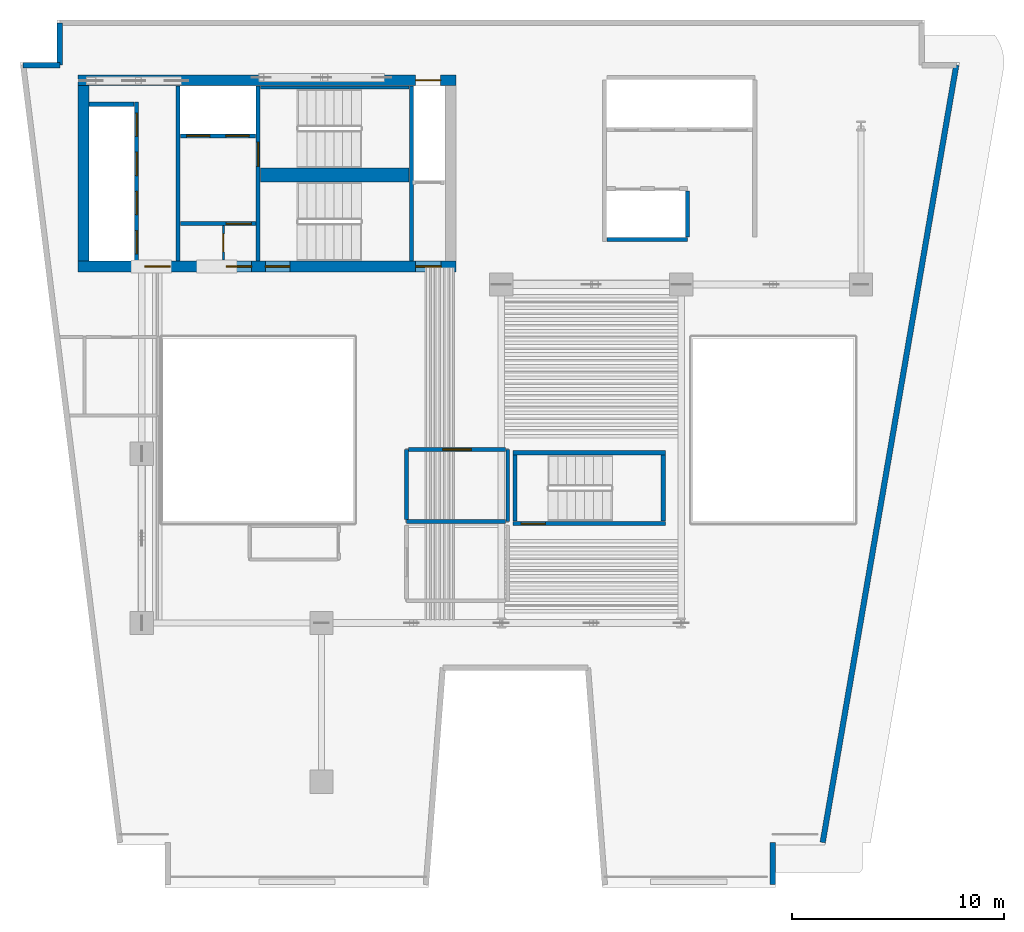
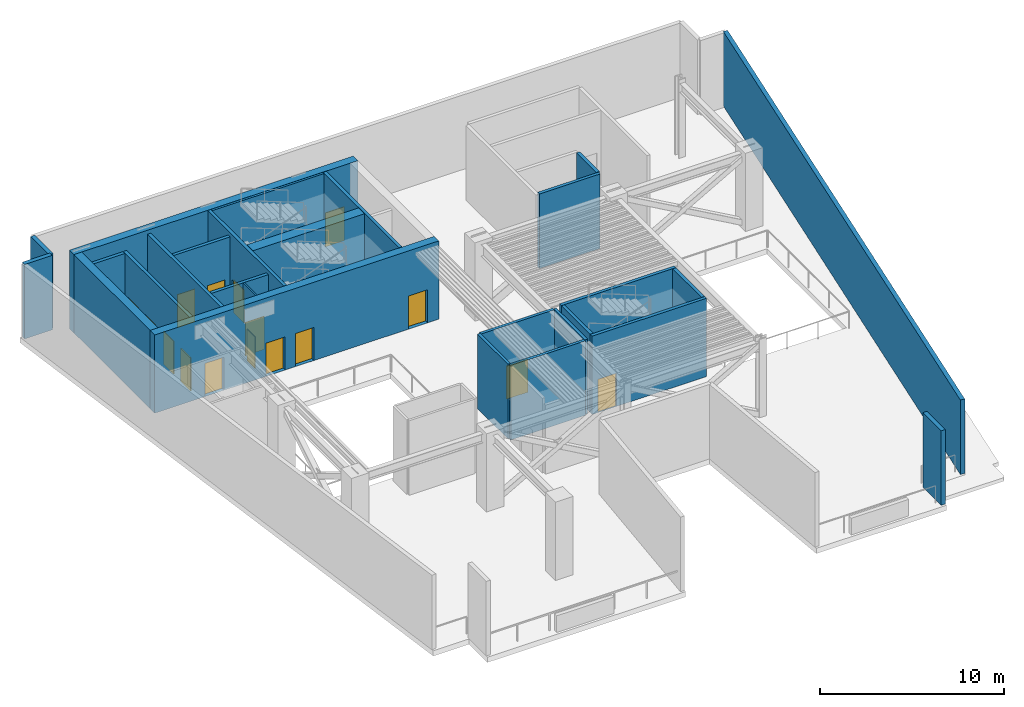
# One storey, part 3 of 8: 27 walls, 16 doors, 16 openings.
"""IFC4 building model written with IfcOpenShell, lengths in metres."""

from ifc_helpers import new_model, si_unit, direction, frame, frame_2d, origin, place, context, subcontext, project, spatial, rectangle, extrude, material, layer, layer_set, type_object, element, fill, save


model = new_model("IFC4")

# Units and contexts
model_context = context("Model", 3, precision=1e-05, world=origin(), true_north=direction((0.0, 1.0)))
body_context = subcontext(model_context, "Body", "Model", "MODEL_VIEW")
ifc_project = project(units=[si_unit("LENGTHUNIT", "METRE"), si_unit("AREAUNIT", "SQUARE_METRE"), si_unit("VOLUMEUNIT", "CUBIC_METRE"), si_unit("PLANEANGLEUNIT", "RADIAN"), si_unit("MASSUNIT", "GRAM", prefix="KILO")], contexts=[model_context])

# Site, building, storey
site_placement = place(None, origin())
site = spatial("IfcSite", under=ifc_project, at=site_placement, CompositionType="ELEMENT")
building_placement = place(site_placement, origin())
building = spatial("IfcBuilding", under=site, at=building_placement, Name="Caeloran Harvest Quay", CompositionType="ELEMENT")
storey_placement = place(building_placement, frame((0.0, 0.0, 178.550048828125)))
storey = spatial("IfcBuildingStorey", under=building, at=storey_placement, Name="L42", CompositionType="ELEMENT", Elevation=178.550048828125)

# Walls
ifc_material_1 = material(Name="Precast concrete C50/60", Category="concrete")
ifc_layer_1 = layer(ifc_material_1, 0.260009765625, Name="Precast concrete C50/60")
ifc_layer_set_1 = layer_set([ifc_layer_1], Name="Precast concrete C50/60")
wall_type_1 = type_object("IfcWallType", Name="ENV-WALL-EW-260", PredefinedType="STANDARD", material=ifc_layer_set_1)
wall_1_placement = place(storey_placement, frame((2.89599609375, 41.3701171875, 0.0), z_axis=(0.0, 0.0, 1.0), x_axis=(1.0, 0.0, 0.0)))
element("IfcWall", 1, at=wall_1_placement, inside=storey, type_object=wall_type_1, Name="L42 Exterior Precast Concrete Facade Wall 4", PredefinedType="STANDARD", context=body_context, shape_type="SweptSolid", body=[
    extrude(rectangle(XDim=1.73388671875, YDim=0.260009765625, at=frame_2d((0.866943359375, 0.0))), origin(), (0.0, 0.0, 1.0), 4.949951171875),
])
wall_2_placement = place(storey_placement, frame((4.6298828125, 41.3701171875, 0.0), z_axis=(0.0, 0.0, 1.0), x_axis=(0.0, 1.0, 0.0)))
element("IfcWall", 2, at=wall_2_placement, inside=storey, type_object=wall_type_1, Name="L42 Exterior Precast Concrete Facade Wall 5", PredefinedType="STANDARD", context=body_context, shape_type="SweptSolid", body=[
    extrude(rectangle(XDim=2.0, YDim=0.260009765625, at=frame_2d((1.0, 0.0))), origin(), (0.0, 0.0, 1.0), 4.949951171875),
])
wall_3_placement = place(storey_placement, frame((47.001953125, 41.3701171875, 0.0), z_axis=(0.0, 0.0, 1.0), x_axis=(-0.169390420461, -0.985549027424, 0.0)))
element("IfcWall", 3, at=wall_3_placement, inside=storey, type_object=wall_type_1, Name="L42 Exterior Precast Concrete Facade Wall 9", PredefinedType="STANDARD", context=body_context, shape_type="SweptSolid", body=[
    extrude(rectangle(XDim=37.279052734375, YDim=0.260009765625, at=frame_2d((18.6396484375, 0.0))), origin(), (0.0, 0.0, 1.0), 4.949951171875),
])
wall_4_placement = place(storey_placement, frame((38.322998046875, 4.6298828125, 0.0), z_axis=(0.0, 0.0, 1.0), x_axis=(0.0, -1.0, 0.0)))
element("IfcWall", 4, at=wall_4_placement, inside=storey, type_object=wall_type_1, Name="L42 Exterior Precast Concrete Facade Wall 11", PredefinedType="STANDARD", context=body_context, shape_type="SweptSolid", body=[
    extrude(rectangle(XDim=2.0, YDim=0.260009765625, at=frame_2d((1.0, 0.0))), origin(), (0.0, 0.0, 1.0), 4.949951171875),
])

# Wall, opening, door
ifc_material_2 = material(Name="Fire-Resisting Gypsum Core Riser Partition", Category="gypsum")
ifc_layer_2 = layer(ifc_material_2, 0.10009765625, Name="Fire-Resisting Gypsum Core Riser Partition")
ifc_layer_set_2 = layer_set([ifc_layer_2], Name="Fire-Resisting Gypsum Core Riser Partition")
wall_type_2 = type_object("IfcWallType", Name="INT-WALL-PW-100", PredefinedType="PARTITIONING", material=ifc_layer_set_2)
wall_5_placement = place(storey_placement, frame((12.360107421875, 32.159912109375, 0.0), z_axis=(0.0, 0.0, 1.0), x_axis=(0.0, 1.0, 0.0)))
wall_5 = element("IfcWall", 5, at=wall_5_placement, inside=storey, type_object=wall_type_2, Name="L42 Core Store Partition Wall", PredefinedType="PARTITIONING", context=body_context, shape_type="SweptSolid", body=[
    extrude(rectangle(XDim=1.6201171875, YDim=0.10009765625, at=frame_2d((0.81005859375, 0.0))), origin(), (0.0, 0.0, 1.0), 4.949951171875),
])
opening_1_placement = place(wall_5_placement, frame((0.3798828125, 0.0, 0.0)))
opening_1 = element("IfcOpeningElement", 6, at=opening_1_placement, cuts=wall_5, Name="Opening SV-01", PredefinedType="OPENING", context=body_context, shape_type="SweptSolid", body=[
    extrude(rectangle(XDim=0.85009765625, YDim=2.10009765625, at=frame_2d((0.425048828125, 1.050048828125))), frame((0.0, 0.06005859375, 0.0), z_axis=(0.0, -1.0, 0.0), x_axis=(1.0, 0.0, 0.0)), (0.0, 0.0, 1.0), 0.1201171875),
])
ifc_material_3 = material(Name="Galvanized Painted Steel", Category="steel")
door_type_1 = type_object("IfcDoorType", Name="INTDOOR-SV-01", OperationType="NOTDEFINED", PredefinedType="DOOR", material=ifc_material_3)
door_1_placement = place(opening_1_placement, origin())
door_1 = element("IfcDoor", 7, at=door_1_placement, inside=storey, type_object=door_type_1, Name="L42 Core Service Room Access Door", OperationType="SINGLE_SWING_RIGHT", OverallHeight=2.10009765625, OverallWidth=0.85009765625, PredefinedType="DOOR", context=body_context, shape_type="SweptSolid", body=[
    extrude(rectangle(XDim=0.85009765625, YDim=2.10009765625, at=frame_2d((0.425048828125, 1.050048828125))), frame((0.0, 0.02490234375, 0.0), z_axis=(0.0, -1.0, 0.0), x_axis=(1.0, 0.0, 0.0)), (0.0, 0.0, 1.0), 0.050048828125),
])
fill(opening_1, door_1)

# Walls
ifc_material_4 = material(Name="Autoclaved Aerated Concrete Blockwork", Category="masonry")
ifc_layer_3 = layer(ifc_material_4, 0.179931640625, Name="Autoclaved Aerated Concrete Blockwork")
ifc_layer_set_3 = layer_set([ifc_layer_3], Name="Autoclaved Aerated Concrete Blockwork")
wall_type_3 = type_object("IfcWallType", Name="INT-WALL-PW-180", PredefinedType="PARTITIONING", material=ifc_layer_set_3)
wall_6_placement = place(storey_placement, frame((25.800048828125, 23.199951171875, 0.0), z_axis=(0.0, 0.0, 1.0), x_axis=(0.0, -1.0, 0.0)))
element("IfcWall", 8, at=wall_6_placement, inside=storey, type_object=wall_type_3, Name="L42 Dedicated Outdoor Air Handling and Dehumidification Plant Room Partition Wall", PredefinedType="PARTITIONING", context=body_context, shape_type="SweptSolid", body=[
    extrude(rectangle(XDim=3.39990234375, YDim=0.179931640625, at=frame_2d((1.699951171875, 0.0))), origin(), (0.0, 0.0, 1.0), 4.949951171875),
])
wall_7_placement = place(storey_placement, frame((25.705078125, 19.800048828125, 0.0), z_axis=(0.0, 0.0, 1.0), x_axis=(-1.0, 0.0, 0.0)))
element("IfcWall", 9, at=wall_7_placement, inside=storey, type_object=wall_type_3, Name="L42 Dedicated Outdoor Air Handling and Dehumidification Plant Room Partition Wall", PredefinedType="PARTITIONING", context=body_context, shape_type="SweptSolid", body=[
    extrude(rectangle(XDim=4.68505859375, YDim=0.179931640625, at=frame_2d((2.342529296875, 0.0))), origin(), (0.0, 0.0, 1.0), 4.949951171875),
])
wall_8_placement = place(storey_placement, frame((21.02001953125, 19.89501953125, 0.0), z_axis=(0.0, 0.0, 1.0), x_axis=(0.0, 1.0, 0.0)))
element("IfcWall", 10, at=wall_8_placement, inside=storey, type_object=wall_type_3, Name="L42 Dedicated Outdoor Air Handling and Dehumidification Plant Room Partition Wall", PredefinedType="PARTITIONING", context=body_context, shape_type="SweptSolid", body=[
    extrude(rectangle(XDim=3.304931640625, YDim=0.179931640625, at=frame_2d((1.65234375, 0.0))), origin(), (0.0, 0.0, 1.0), 4.949951171875),
])

# Wall, opening, door
wall_9_placement = place(storey_placement, frame((21.114990234375, 23.199951171875, 0.0), z_axis=(0.0, 0.0, 1.0), x_axis=(1.0, 0.0, 0.0)))
wall_9 = element("IfcWall", 11, at=wall_9_placement, inside=storey, type_object=wall_type_3, Name="L42 Dedicated Outdoor Air Handling and Dehumidification Plant Room Partition Wall", PredefinedType="PARTITIONING", context=body_context, shape_type="SweptSolid", body=[
    extrude(rectangle(XDim=4.590087890625, YDim=0.179931640625, at=frame_2d((2.294921875, 0.0))), origin(), (0.0, 0.0, 1.0), 4.949951171875),
])
opening_2_placement = place(wall_9_placement, frame((1.6201171875, 0.0, 0.0)))
opening_2 = element("IfcOpeningElement", 12, at=opening_2_placement, cuts=wall_9, Name="Opening ID-02", PredefinedType="OPENING", context=body_context, shape_type="SweptSolid", body=[
    extrude(rectangle(XDim=1.35009765625, YDim=2.199951171875, at=frame_2d((0.675048828125, 1.10009765625))), frame((0.0, 0.10009765625, 0.0), z_axis=(0.0, -1.0, 0.0), x_axis=(1.0, 0.0, 0.0)), (0.0, 0.0, 1.0), 0.199951171875),
])
ifc_material_5 = material(Name="Powder-Coated Steel Acoustic Leaf", Category="steel")
door_type_2 = type_object("IfcDoorType", Name="INTDOOR-ID-02", OperationType="NOTDEFINED", PredefinedType="DOOR", material=ifc_material_5)
door_2_placement = place(opening_2_placement, origin())
door_2 = element("IfcDoor", 13, at=door_2_placement, inside=storey, type_object=door_type_2, Name="L42 Dedicated Outdoor Air Handling and Dehumidification Plant Room Access Door", OperationType="SINGLE_SWING_LEFT", OverallHeight=2.199951171875, OverallWidth=1.35009765625, PredefinedType="DOOR", context=body_context, shape_type="SweptSolid", body=[
    extrude(rectangle(XDim=1.35009765625, YDim=2.199951171875, at=frame_2d((0.675048828125, 1.10009765625))), frame((0.0, 0.02490234375, 0.0), z_axis=(0.0, -1.0, 0.0), x_axis=(1.0, 0.0, 0.0)), (0.0, 0.0, 1.0), 0.050048828125),
])
fill(opening_2, door_2)

# Wall, openings, doors
ifc_material_6 = material(Name="Concrete C50/60", Category="concrete")
ifc_layer_4 = layer(ifc_material_6, 0.199951171875, Name="Concrete C50/60")
ifc_layer_set_4 = layer_set([ifc_layer_4], Name="Concrete C50/60")
wall_type_4 = type_object("IfcWallType", Name="INT-WALL-SW-200", PredefinedType="PARTITIONING", material=ifc_layer_set_4)
wall_10_placement = place(storey_placement, frame((8.260009765625, 32.1201171875, 0.0), z_axis=(0.0, 0.0, 1.0), x_axis=(0.0, 1.0, 0.0)))
wall_10 = element("IfcWall", 14, at=wall_10_placement, inside=storey, type_object=wall_type_4, Name="L42 Bank 3 Lift Shaft Wall", PredefinedType="PARTITIONING", context=body_context, shape_type="SweptSolid", body=[
    extrude(rectangle(XDim=7.5, YDim=0.199951171875, at=frame_2d((3.75, 0.0))), origin(), (0.0, 0.0, 1.0), 4.949951171875),
])
opening_3_placement = place(wall_10_placement, frame((0.330078125, 0.0, 0.0)))
opening_3 = element("IfcOpeningElement", 15, at=opening_3_placement, cuts=wall_10, Name="Opening LD-01", PredefinedType="OPENING", context=body_context, shape_type="SweptSolid", body=[
    extrude(rectangle(XDim=1.10009765625, YDim=2.199951171875, at=frame_2d((0.550048828125, 1.10009765625))), frame((0.0, 0.10986328125, 0.0), z_axis=(0.0, -1.0, 0.0), x_axis=(1.0, 0.0, 0.0)), (0.0, 0.0, 1.0), 0.219970703125),
])
opening_4_placement = place(wall_10_placement, frame((2.179931640625, 0.0, 0.0)))
opening_4 = element("IfcOpeningElement", 16, at=opening_4_placement, cuts=wall_10, Name="Opening LD-01", PredefinedType="OPENING", context=body_context, shape_type="SweptSolid", body=[
    extrude(rectangle(XDim=1.10009765625, YDim=2.199951171875, at=frame_2d((0.550048828125, 1.10009765625))), frame((0.0, 0.10986328125, 0.0), z_axis=(0.0, -1.0, 0.0), x_axis=(1.0, 0.0, 0.0)), (0.0, 0.0, 1.0), 0.219970703125),
])
opening_5_placement = place(wall_10_placement, frame((4.030029296875, 0.0, 0.0)))
opening_5 = element("IfcOpeningElement", 17, at=opening_5_placement, cuts=wall_10, Name="Opening LD-01", PredefinedType="OPENING", context=body_context, shape_type="SweptSolid", body=[
    extrude(rectangle(XDim=1.10009765625, YDim=2.199951171875, at=frame_2d((0.550048828125, 1.10009765625))), frame((0.0, 0.10986328125, 0.0), z_axis=(0.0, -1.0, 0.0), x_axis=(1.0, 0.0, 0.0)), (0.0, 0.0, 1.0), 0.219970703125),
])
opening_6_placement = place(wall_10_placement, frame((5.8798828125, 0.0, 0.0)))
opening_6 = element("IfcOpeningElement", 18, at=opening_6_placement, cuts=wall_10, Name="Opening LD-01", PredefinedType="OPENING", context=body_context, shape_type="SweptSolid", body=[
    extrude(rectangle(XDim=1.10009765625, YDim=2.199951171875, at=frame_2d((0.550048828125, 1.10009765625))), frame((0.0, 0.10986328125, 0.0), z_axis=(0.0, -1.0, 0.0), x_axis=(1.0, 0.0, 0.0)), (0.0, 0.0, 1.0), 0.219970703125),
])
ifc_material_7 = material(Name="Stainless Steel Grade 316", Category="steel")
door_type_3 = type_object("IfcDoorType", Name="INTDOOR-LD-01", OperationType="NOTDEFINED", PredefinedType="DOOR", material=ifc_material_7)
door_3_placement = place(opening_3_placement, origin())
door_3 = element("IfcDoor", 19, at=door_3_placement, inside=storey, type_object=door_type_3, Name="Lift P3-1 Sliding Landing Door (L42)", OperationType="DOUBLE_DOOR_SLIDING", OverallHeight=2.199951171875, OverallWidth=1.10009765625, PredefinedType="DOOR", context=body_context, shape_type="SweptSolid", body=[
    extrude(rectangle(XDim=1.10009765625, YDim=2.199951171875, at=frame_2d((0.550048828125, 1.10009765625))), frame((0.0, 0.02490234375, 0.0), z_axis=(0.0, -1.0, 0.0), x_axis=(1.0, 0.0, 0.0)), (0.0, 0.0, 1.0), 0.050048828125),
])
fill(opening_3, door_3)
door_4_placement = place(opening_4_placement, origin())
door_4 = element("IfcDoor", 20, at=door_4_placement, inside=storey, type_object=door_type_3, Name="Lift P3-2 Sliding Landing Door (L42)", OperationType="DOUBLE_DOOR_SLIDING", OverallHeight=2.199951171875, OverallWidth=1.10009765625, PredefinedType="DOOR", context=body_context, shape_type="SweptSolid", body=[
    extrude(rectangle(XDim=1.10009765625, YDim=2.199951171875, at=frame_2d((0.550048828125, 1.10009765625))), frame((0.0, 0.02490234375, 0.0), z_axis=(0.0, -1.0, 0.0), x_axis=(1.0, 0.0, 0.0)), (0.0, 0.0, 1.0), 0.050048828125),
])
fill(opening_4, door_4)
door_5_placement = place(opening_5_placement, origin())
door_5 = element("IfcDoor", 21, at=door_5_placement, inside=storey, type_object=door_type_3, Name="Lift P3-3 Sliding Landing Door (L42)", OperationType="DOUBLE_DOOR_SLIDING", OverallHeight=2.199951171875, OverallWidth=1.10009765625, PredefinedType="DOOR", context=body_context, shape_type="SweptSolid", body=[
    extrude(rectangle(XDim=1.10009765625, YDim=2.199951171875, at=frame_2d((0.550048828125, 1.10009765625))), frame((0.0, 0.02490234375, 0.0), z_axis=(0.0, -1.0, 0.0), x_axis=(1.0, 0.0, 0.0)), (0.0, 0.0, 1.0), 0.050048828125),
])
fill(opening_5, door_5)
door_6_placement = place(opening_6_placement, origin())
door_6 = element("IfcDoor", 22, at=door_6_placement, inside=storey, type_object=door_type_3, Name="Lift P3-4 Sliding Landing Door (L42)", OperationType="DOUBLE_DOOR_SLIDING", OverallHeight=2.199951171875, OverallWidth=1.10009765625, PredefinedType="DOOR", context=body_context, shape_type="SweptSolid", body=[
    extrude(rectangle(XDim=1.10009765625, YDim=2.199951171875, at=frame_2d((0.550048828125, 1.10009765625))), frame((0.0, 0.02490234375, 0.0), z_axis=(0.0, -1.0, 0.0), x_axis=(1.0, 0.0, 0.0)), (0.0, 0.0, 1.0), 0.050048828125),
])
fill(opening_6, door_6)

# Walls
wall_11_placement = place(storey_placement, frame((6.02001953125, 39.52001953125, 0.0), z_axis=(0.0, 0.0, 1.0), x_axis=(1.0, 0.0, 0.0)))
element("IfcWall", 23, at=wall_11_placement, inside=storey, type_object=wall_type_4, Name="L42 Bank 3 Lift Shaft North End Wall", PredefinedType="PARTITIONING", context=body_context, shape_type="SweptSolid", body=[
    extrude(rectangle(XDim=2.119873046875, YDim=0.199951171875, at=frame_2d((1.06005859375, 0.0))), origin(), (0.0, 0.0, 1.0), 4.949951171875),
])
wall_12_placement = place(storey_placement, frame((10.219970703125, 32.1201171875, 0.0), z_axis=(0.0, 0.0, 1.0), x_axis=(0.0, 1.0, 0.0)))
element("IfcWall", 24, at=wall_12_placement, inside=storey, type_object=wall_type_4, Name="L42 Core Lobby Compartment Wall", PredefinedType="PARTITIONING", context=body_context, shape_type="SweptSolid", body=[
    extrude(rectangle(XDim=8.259765625, YDim=0.199951171875, at=frame_2d((4.1298828125, 0.0))), origin(), (0.0, 0.0, 1.0), 4.949951171875),
])

# Wall, openings, doors
wall_13_placement = place(storey_placement, frame((10.340087890625, 38.02001953125, 0.0), z_axis=(0.0, 0.0, 1.0), x_axis=(1.0, 0.0, 0.0)))
wall_13 = element("IfcWall", 25, at=wall_13_placement, inside=storey, type_object=wall_type_4, Name="L42 Firefighting Lift Shaft Wall", PredefinedType="PARTITIONING", context=body_context, shape_type="SweptSolid", body=[
    extrude(rectangle(XDim=3.539794921875, YDim=0.199951171875, at=frame_2d((1.77001953125, 0.0))), origin(), (0.0, 0.0, 1.0), 4.949951171875),
])
opening_7_placement = place(wall_13_placement, frame((0.284912109375, 0.0, 0.0)))
opening_7 = element("IfcOpeningElement", 26, at=opening_7_placement, cuts=wall_13, Name="Opening LD-01", PredefinedType="OPENING", context=body_context, shape_type="SweptSolid", body=[
    extrude(rectangle(XDim=1.10009765625, YDim=2.199951171875, at=frame_2d((0.550048828125, 1.10009765625))), frame((0.0, 0.10986328125, 0.0), z_axis=(0.0, -1.0, 0.0), x_axis=(1.0, 0.0, 0.0)), (0.0, 0.0, 1.0), 0.219970703125),
])
opening_8_placement = place(wall_13_placement, frame((2.135009765625, 0.0, 0.0)))
opening_8 = element("IfcOpeningElement", 27, at=opening_8_placement, cuts=wall_13, Name="Opening LD-01", PredefinedType="OPENING", context=body_context, shape_type="SweptSolid", body=[
    extrude(rectangle(XDim=1.10009765625, YDim=2.199951171875, at=frame_2d((0.550048828125, 1.10009765625))), frame((0.0, 0.10986328125, 0.0), z_axis=(0.0, -1.0, 0.0), x_axis=(1.0, 0.0, 0.0)), (0.0, 0.0, 1.0), 0.219970703125),
])
door_7_placement = place(opening_7_placement, origin())
door_7 = element("IfcDoor", 28, at=door_7_placement, inside=storey, type_object=door_type_3, Name="Lift FF-1 Sliding Landing Door (L42)", OperationType="DOUBLE_DOOR_SLIDING", OverallHeight=2.199951171875, OverallWidth=1.10009765625, PredefinedType="DOOR", context=body_context, shape_type="SweptSolid", body=[
    extrude(rectangle(XDim=1.10009765625, YDim=2.199951171875, at=frame_2d((0.550048828125, 1.10009765625))), frame((0.0, 0.02490234375, 0.0), z_axis=(0.0, -1.0, 0.0), x_axis=(1.0, 0.0, 0.0)), (0.0, 0.0, 1.0), 0.050048828125),
])
fill(opening_7, door_7)
door_8_placement = place(opening_8_placement, origin())
door_8 = element("IfcDoor", 29, at=door_8_placement, inside=storey, type_object=door_type_3, Name="Lift FF-2 Sliding Landing Door (L42)", OperationType="DOUBLE_DOOR_SLIDING", OverallHeight=2.199951171875, OverallWidth=1.10009765625, PredefinedType="DOOR", context=body_context, shape_type="SweptSolid", body=[
    extrude(rectangle(XDim=1.10009765625, YDim=2.199951171875, at=frame_2d((0.550048828125, 1.10009765625))), frame((0.0, 0.02490234375, 0.0), z_axis=(0.0, -1.0, 0.0), x_axis=(1.0, 0.0, 0.0)), (0.0, 0.0, 1.0), 0.050048828125),
])
fill(opening_8, door_8)

# Wall, opening, door
wall_14_placement = place(storey_placement, frame((10.340087890625, 33.8798828125, 0.0), z_axis=(0.0, 0.0, 1.0), x_axis=(1.0, 0.0, 0.0)))
wall_14 = element("IfcWall", 30, at=wall_14_placement, inside=storey, type_object=wall_type_4, Name="L42 Firefighting Lift Lobby Enclosure Wall", PredefinedType="PARTITIONING", context=body_context, shape_type="SweptSolid", body=[
    extrude(rectangle(XDim=3.559814453125, YDim=0.199951171875, at=frame_2d((1.77978515625, 0.0))), origin(), (0.0, 0.0, 1.0), 4.949951171875),
])
opening_9_placement = place(wall_14_placement, frame((2.14990234375, 0.0, 0.0)))
opening_9 = element("IfcOpeningElement", 31, at=opening_9_placement, cuts=wall_14, Name="Opening FD-01", PredefinedType="OPENING", context=body_context, shape_type="SweptSolid", body=[
    extrude(rectangle(XDim=1.199951171875, YDim=2.199951171875, at=frame_2d((0.60009765625, 1.10009765625))), frame((0.0, 0.10986328125, 0.0), z_axis=(0.0, -1.0, 0.0), x_axis=(1.0, 0.0, 0.0)), (0.0, 0.0, 1.0), 0.219970703125),
])
ifc_material_8 = material(Name="Steel", Category="steel")
door_type_4 = type_object("IfcDoorType", Name="INTDOOR-FD-01", OperationType="NOTDEFINED", PredefinedType="DOOR", material=ifc_material_8)
door_9_placement = place(opening_9_placement, origin())
door_9 = element("IfcDoor", 32, at=door_9_placement, inside=storey, type_object=door_type_4, Name="L42 Firefighting Lift Lobby Smoke-Seal Fire Door", OperationType="SINGLE_SWING_LEFT", OverallHeight=2.199951171875, OverallWidth=1.199951171875, PredefinedType="DOOR", context=body_context, shape_type="SweptSolid", body=[
    extrude(rectangle(XDim=1.199951171875, YDim=2.199951171875, at=frame_2d((0.60009765625, 1.10009765625))), frame((0.0, 0.02490234375, 0.0), z_axis=(0.0, -1.0, 0.0), x_axis=(1.0, 0.0, 0.0)), (0.0, 0.0, 1.0), 0.050048828125),
])
fill(opening_9, door_9)

# Walls
wall_15_placement = place(storey_placement, frame((30.5, 33.1201171875, 0.0), z_axis=(0.0, 0.0, 1.0), x_axis=(1.0, 0.0, 0.0)))
element("IfcWall", 33, at=wall_15_placement, inside=storey, type_object=wall_type_4, Name="L42 Shuttle Lift Shaft South Wall", PredefinedType="PARTITIONING", context=body_context, shape_type="SweptSolid", body=[
    extrude(rectangle(XDim=3.800048828125, YDim=0.199951171875, at=frame_2d((1.89990234375, 0.0))), origin(), (0.0, 0.0, 1.0), 4.949951171875),
])
wall_16_placement = place(storey_placement, frame((34.300048828125, 33.239990234375, 0.0), z_axis=(0.0, 0.0, 1.0), x_axis=(0.0, 1.0, 0.0)))
element("IfcWall", 34, at=wall_16_placement, inside=storey, type_object=wall_type_4, Name="L42 Shuttle Lift Shaft East Wall", PredefinedType="PARTITIONING", context=body_context, shape_type="SweptSolid", body=[
    extrude(rectangle(XDim=2.169921875, YDim=0.199951171875, at=frame_2d((1.0849609375, 0.0))), origin(), (0.0, 0.0, 1.0), 4.949951171875),
])

# Wall, opening, door
ifc_material_9 = material(Name="Concrete C70/85", Category="concrete")
ifc_layer_5 = layer(ifc_material_9, 0.5, Name="Concrete C70/85")
ifc_layer_set_5 = layer_set([ifc_layer_5], Name="Concrete C70/85")
wall_type_5 = type_object("IfcWallType", Name="STR-WALL-CW-500", PredefinedType="SHEAR", material=ifc_layer_set_5)
wall_17_placement = place(storey_placement, frame((5.5, 40.64990234375, 0.0), z_axis=(0.0, 0.0, 1.0), x_axis=(1.0, 0.0, 0.0)))
wall_17 = element("IfcWall", 35, at=wall_17_placement, inside=storey, type_object=wall_type_5, Name="L42 Rear Core Shear Wall N", PredefinedType="SHEAR", context=body_context, shape_type="SweptSolid", body=[
    extrude(rectangle(XDim=17.85009765625, YDim=0.5, at=frame_2d((8.925048828125, 0.0))), origin(), (0.0, 0.0, 1.0), 5.199951171875),
])
opening_10_placement = place(wall_17_placement, frame((15.945068359375, 0.0, 0.0)))
opening_10 = element("IfcOpeningElement", 36, at=opening_10_placement, cuts=wall_17, Name="Opening LD-02", PredefinedType="OPENING", context=body_context, shape_type="SweptSolid", body=[
    extrude(rectangle(XDim=1.179931640625, YDim=2.25, at=frame_2d((0.58984375, 1.125))), frame((0.0, 0.260009765625, 0.0), z_axis=(0.0, -1.0, 0.0), x_axis=(1.0, 0.0, 0.0)), (0.0, 0.0, 1.0), 0.52001953125),
])
door_type_5 = type_object("IfcDoorType", Name="INTDOOR-LD-02", OperationType="NOTDEFINED", PredefinedType="DOOR", material=ifc_material_7)
door_10_placement = place(opening_10_placement, origin())
door_10 = element("IfcDoor", 37, at=door_10_placement, inside=storey, type_object=door_type_5, Name="Lift SV-1 Sliding Landing Door (L42)", OperationType="DOUBLE_DOOR_SLIDING", OverallHeight=2.25, OverallWidth=1.179931640625, PredefinedType="DOOR", context=body_context, shape_type="SweptSolid", body=[
    extrude(rectangle(XDim=1.179931640625, YDim=2.25, at=frame_2d((0.58984375, 1.125))), frame((0.0, 0.02490234375, 0.0), z_axis=(0.0, -1.0, 0.0), x_axis=(1.0, 0.0, 0.0)), (0.0, 0.0, 1.0), 0.050048828125),
])
fill(opening_10, door_10)

# Wall, openings, doors
wall_18_placement = place(storey_placement, frame((5.5, 31.85009765625, 0.0), z_axis=(0.0, 0.0, 1.0), x_axis=(1.0, 0.0, 0.0)))
wall_18 = element("IfcWall", 38, at=wall_18_placement, inside=storey, type_object=wall_type_5, Name="L42 Rear Core Shear Wall S", PredefinedType="SHEAR", context=body_context, shape_type="SweptSolid", body=[
    extrude(rectangle(XDim=17.85009765625, YDim=0.5, at=frame_2d((8.925048828125, 0.0))), origin(), (0.0, 0.0, 1.0), 5.199951171875),
])
opening_11_placement = place(wall_18_placement, frame((3.14990234375, 0.0, 0.0)))
opening_11 = element("IfcOpeningElement", 39, at=opening_11_placement, cuts=wall_18, Name="Opening FD-01", PredefinedType="OPENING", context=body_context, shape_type="SweptSolid", body=[
    extrude(rectangle(XDim=1.199951171875, YDim=2.199951171875, at=frame_2d((0.60009765625, 1.10009765625))), frame((0.0, 0.260009765625, 0.0), z_axis=(0.0, -1.0, 0.0), x_axis=(1.0, 0.0, 0.0)), (0.0, 0.0, 1.0), 0.52001953125),
])
opening_12_placement = place(wall_18_placement, frame((7.0, 0.0, 0.0)))
opening_12 = element("IfcOpeningElement", 40, at=opening_12_placement, cuts=wall_18, Name="Opening FD-01", PredefinedType="OPENING", context=body_context, shape_type="SweptSolid", body=[
    extrude(rectangle(XDim=1.199951171875, YDim=2.199951171875, at=frame_2d((0.60009765625, 1.10009765625))), frame((0.0, 0.260009765625, 0.0), z_axis=(0.0, -1.0, 0.0), x_axis=(1.0, 0.0, 0.0)), (0.0, 0.0, 1.0), 0.52001953125),
])
opening_13_placement = place(wall_18_placement, frame((8.85009765625, 0.0, 0.0)))
opening_13 = element("IfcOpeningElement", 41, at=opening_13_placement, cuts=wall_18, Name="Opening SD-01", PredefinedType="OPENING", context=body_context, shape_type="SweptSolid", body=[
    extrude(rectangle(XDim=1.14990234375, YDim=2.199951171875, at=frame_2d((0.574951171875, 1.10009765625))), frame((0.0, 0.260009765625, 0.0), z_axis=(0.0, -1.0, 0.0), x_axis=(1.0, 0.0, 0.0)), (0.0, 0.0, 1.0), 0.52001953125),
])
opening_14_placement = place(wall_18_placement, frame((15.949951171875, 0.0, 0.0)))
opening_14 = element("IfcOpeningElement", 42, at=opening_14_placement, cuts=wall_18, Name="Opening FD-01", PredefinedType="OPENING", context=body_context, shape_type="SweptSolid", body=[
    extrude(rectangle(XDim=1.199951171875, YDim=2.199951171875, at=frame_2d((0.60009765625, 1.10009765625))), frame((0.0, 0.260009765625, 0.0), z_axis=(0.0, -1.0, 0.0), x_axis=(1.0, 0.0, 0.0)), (0.0, 0.0, 1.0), 0.52001953125),
])
door_11_placement = place(opening_11_placement, origin())
door_11 = element("IfcDoor", 43, at=door_11_placement, inside=storey, type_object=door_type_4, Name="L42 High-Rise Lift Lobby Fire Door", OperationType="SINGLE_SWING_LEFT", OverallHeight=2.199951171875, OverallWidth=1.199951171875, PredefinedType="DOOR", context=body_context, shape_type="SweptSolid", body=[
    extrude(rectangle(XDim=1.199951171875, YDim=2.199951171875, at=frame_2d((0.60009765625, 1.10009765625))), frame((0.0, 0.02490234375, 0.0), z_axis=(0.0, -1.0, 0.0), x_axis=(1.0, 0.0, 0.0)), (0.0, 0.0, 1.0), 0.050048828125),
])
fill(opening_11, door_11)
door_12_placement = place(opening_12_placement, origin())
door_12 = element("IfcDoor", 44, at=door_12_placement, inside=storey, type_object=door_type_4, Name="L42 Firefighting Lobby Vestibule Fire Door", OperationType="SINGLE_SWING_RIGHT", OverallHeight=2.199951171875, OverallWidth=1.199951171875, PredefinedType="DOOR", context=body_context, shape_type="SweptSolid", body=[
    extrude(rectangle(XDim=1.199951171875, YDim=2.199951171875, at=frame_2d((0.60009765625, 1.10009765625))), frame((0.0, 0.02490234375, 0.0), z_axis=(0.0, -1.0, 0.0), x_axis=(1.0, 0.0, 0.0)), (0.0, 0.0, 1.0), 0.050048828125),
])
fill(opening_12, door_12)
door_13_placement = place(opening_14_placement, origin())
door_13 = element("IfcDoor", 45, at=door_13_placement, inside=storey, type_object=door_type_4, Name="L42 Service Lift Lobby Fire Door", OperationType="SINGLE_SWING_RIGHT", OverallHeight=2.199951171875, OverallWidth=1.199951171875, PredefinedType="DOOR", context=body_context, shape_type="SweptSolid", body=[
    extrude(rectangle(XDim=1.199951171875, YDim=2.199951171875, at=frame_2d((0.60009765625, 1.10009765625))), frame((0.0, 0.02490234375, 0.0), z_axis=(0.0, -1.0, 0.0), x_axis=(1.0, 0.0, 0.0)), (0.0, 0.0, 1.0), 0.050048828125),
])
fill(opening_14, door_13)
door_type_6 = type_object("IfcDoorType", Name="INTDOOR-SD-01", OperationType="NOTDEFINED", PredefinedType="DOOR", material=ifc_material_8)
door_14_placement = place(opening_13_placement, origin())
door_14 = element("IfcDoor", 46, at=door_14_placement, inside=storey, type_object=door_type_6, Name="L42 Protected Stair ST-C2 Exit Door", OperationType="SINGLE_SWING_LEFT", OverallHeight=2.199951171875, OverallWidth=1.14990234375, PredefinedType="DOOR", context=body_context, shape_type="SweptSolid", body=[
    extrude(rectangle(XDim=1.14990234375, YDim=2.199951171875, at=frame_2d((0.574951171875, 1.10009765625))), frame((0.0, 0.02490234375, 0.0), z_axis=(0.0, -1.0, 0.0), x_axis=(1.0, 0.0, 0.0)), (0.0, 0.0, 1.0), 0.050048828125),
])
fill(opening_13, door_14)

# Walls
wall_19_placement = place(storey_placement, frame((5.75, 32.10009765625, 0.0), z_axis=(0.0, 0.0, 1.0), x_axis=(0.0, 1.0, 0.0)))
element("IfcWall", 47, at=wall_19_placement, inside=storey, type_object=wall_type_5, Name="L42 Rear Core Shear Wall W", PredefinedType="SHEAR", context=body_context, shape_type="SweptSolid", body=[
    extrude(rectangle(XDim=8.2998046875, YDim=0.5, at=frame_2d((4.14990234375, 0.0))), origin(), (0.0, 0.0, 1.0), 5.199951171875),
])
ifc_material_10 = material(Name="Concrete C60/75", Category="concrete")
ifc_layer_6 = layer(ifc_material_10, 0.64990234375, Name="Concrete C60/75")
ifc_layer_set_6 = layer_set([ifc_layer_6], Name="Concrete C60/75")
wall_type_6 = type_object("IfcWallType", Name="STR-WALL-CW-650", PredefinedType="SHEAR", material=ifc_layer_set_6)
wall_20_placement = place(storey_placement, frame((14.1201171875, 36.175048828125, 0.0), z_axis=(0.0, 0.0, 1.0), x_axis=(1.0, 0.0, 0.0)))
element("IfcWall", 48, at=wall_20_placement, inside=storey, type_object=wall_type_6, Name="L42 Core Stairs Dividing Shear Wall", PredefinedType="SHEAR", context=body_context, shape_type="SweptSolid", body=[
    extrude(rectangle(XDim=7.009765625, YDim=0.64990234375, at=frame_2d((3.5048828125, 0.0))), origin(), (0.0, 0.0, 1.0), 5.199951171875),
])
ifc_layer_7 = layer(ifc_material_10, 0.139892578125, Name="Concrete C60/75")
ifc_layer_set_7 = layer_set([ifc_layer_7], Name="Concrete C60/75")
wall_type_7 = type_object("IfcWallType", Name="STR-WALL-SW-140", PredefinedType="SHEAR", material=ifc_layer_set_7)
wall_21_placement = place(storey_placement, frame((14.1201171875, 40.320068359375, 0.0), z_axis=(0.0, 0.0, 1.0), x_axis=(1.0, 0.0, 0.0)))
element("IfcWall", 49, at=wall_21_placement, inside=storey, type_object=wall_type_7, Name="L42 Core Stair ST-C1 North Bearing Shear Wall", PredefinedType="SHEAR", context=body_context, shape_type="SweptSolid", body=[
    extrude(rectangle(XDim=7.009765625, YDim=0.139892578125, at=frame_2d((3.5048828125, 0.0))), origin(), (0.0, 0.0, 1.0), 5.199951171875),
])

# Wall, opening, door
ifc_layer_8 = layer(ifc_material_10, 0.199951171875, Name="Concrete C60/75")
ifc_layer_set_8 = layer_set([ifc_layer_8], Name="Concrete C60/75")
wall_type_8 = type_object("IfcWallType", Name="STR-WALL-SW-200", PredefinedType="SHEAR", material=ifc_layer_set_8)
wall_22_placement = place(storey_placement, frame((14.0, 32.1201171875, 0.0), z_axis=(0.0, 0.0, 1.0), x_axis=(0.0, 1.0, 0.0)))
wall_22 = element("IfcWall", 50, at=wall_22_placement, inside=storey, type_object=wall_type_8, Name="L42 Core Stair Shaft West Shear Wall", PredefinedType="SHEAR", context=body_context, shape_type="SweptSolid", body=[
    extrude(rectangle(XDim=8.259765625, YDim=0.199951171875, at=frame_2d((4.1298828125, 0.0))), origin(), (0.0, 0.0, 1.0), 5.199951171875),
])
opening_15_placement = place(wall_22_placement, frame((4.4599609375, 0.0, 0.0)))
opening_15 = element("IfcOpeningElement", 51, at=opening_15_placement, cuts=wall_22, Name="Opening SD-01", PredefinedType="OPENING", context=body_context, shape_type="SweptSolid", body=[
    extrude(rectangle(XDim=1.14990234375, YDim=2.199951171875, at=frame_2d((0.574951171875, 1.10009765625))), frame((0.0, 0.10986328125, 0.0), z_axis=(0.0, -1.0, 0.0), x_axis=(1.0, 0.0, 0.0)), (0.0, 0.0, 1.0), 0.219970703125),
])
door_15_placement = place(opening_15_placement, origin())
door_15 = element("IfcDoor", 52, at=door_15_placement, inside=storey, type_object=door_type_6, Name="L42 Protected Stair ST-C1 Exit Door", OperationType="SINGLE_SWING_LEFT", OverallHeight=2.199951171875, OverallWidth=1.14990234375, PredefinedType="DOOR", context=body_context, shape_type="SweptSolid", body=[
    extrude(rectangle(XDim=1.14990234375, YDim=2.199951171875, at=frame_2d((0.574951171875, 1.10009765625))), frame((0.0, 0.02490234375, 0.0), z_axis=(0.0, -1.0, 0.0), x_axis=(1.0, 0.0, 0.0)), (0.0, 0.0, 1.0), 0.050048828125),
])
fill(opening_15, door_15)

# Wall
wall_23_placement = place(storey_placement, frame((21.25, 32.1201171875, 0.0), z_axis=(0.0, 0.0, 1.0), x_axis=(0.0, 1.0, 0.0)))
element("IfcWall", 53, at=wall_23_placement, inside=storey, type_object=wall_type_8, Name="L42 Core Stair Shaft East Shear Wall", PredefinedType="SHEAR", context=body_context, shape_type="SweptSolid", body=[
    extrude(rectangle(XDim=8.259765625, YDim=0.199951171875, at=frame_2d((4.1298828125, 0.0))), origin(), (0.0, 0.0, 1.0), 5.199951171875),
])

# Wall, opening, door
wall_24_placement = place(storey_placement, frame((26.050048828125, 19.699951171875, 0.0), z_axis=(0.0, 0.0, 1.0), x_axis=(1.0, 0.0, 0.0)))
wall_24 = element("IfcWall", 54, at=wall_24_placement, inside=storey, type_object=wall_type_8, Name="L42 Stair ST-W1 S RC Shaft Shear Wall", PredefinedType="SHEAR", context=body_context, shape_type="SweptSolid", body=[
    extrude(rectangle(XDim=7.199951171875, YDim=0.199951171875, at=frame_2d((3.60009765625, 0.0))), origin(), (0.0, 0.0, 1.0), 5.199951171875),
])
opening_16_placement = place(wall_24_placement, frame((0.3798828125, 0.0, 0.0)))
opening_16 = element("IfcOpeningElement", 55, at=opening_16_placement, cuts=wall_24, Name="Opening SD-01", PredefinedType="OPENING", context=body_context, shape_type="SweptSolid", body=[
    extrude(rectangle(XDim=1.14990234375, YDim=2.199951171875, at=frame_2d((0.574951171875, 1.10009765625))), frame((0.0, 0.10986328125, 0.0), z_axis=(0.0, -1.0, 0.0), x_axis=(1.0, 0.0, 0.0)), (0.0, 0.0, 1.0), 0.219970703125),
])
door_16_placement = place(opening_16_placement, origin())
door_16 = element("IfcDoor", 56, at=door_16_placement, inside=storey, type_object=door_type_6, Name="L42 Protected Exit Stair ST-W1 Fire Door", OperationType="SINGLE_SWING_RIGHT", OverallHeight=2.199951171875, OverallWidth=1.14990234375, PredefinedType="DOOR", context=body_context, shape_type="SweptSolid", body=[
    extrude(rectangle(XDim=1.14990234375, YDim=2.199951171875, at=frame_2d((0.574951171875, 1.10009765625))), frame((0.0, 0.02490234375, 0.0), z_axis=(0.0, -1.0, 0.0), x_axis=(1.0, 0.0, 0.0)), (0.0, 0.0, 1.0), 0.050048828125),
])
fill(opening_16, door_16)

# Walls
wall_25_placement = place(storey_placement, frame((26.050048828125, 23.050048828125, 0.0), z_axis=(0.0, 0.0, 1.0), x_axis=(1.0, 0.0, 0.0)))
element("IfcWall", 57, at=wall_25_placement, inside=storey, type_object=wall_type_8, Name="L42 Stair ST-W1 N RC Shaft Shear Wall", PredefinedType="SHEAR", context=body_context, shape_type="SweptSolid", body=[
    extrude(rectangle(XDim=7.199951171875, YDim=0.199951171875, at=frame_2d((3.60009765625, 0.0))), origin(), (0.0, 0.0, 1.0), 5.199951171875),
])
for number, where, z_axis, x_axis, name in (
    (58, (26.14990234375, 19.81005859375, 0.0), (0.0, 0.0, 1.0), (0.0, 1.0, 0.0), "L42 Stair ST-W1 W RC Shaft Shear Wall"),
    (59, (33.14990234375, 19.81005859375, 0.0), (0.0, 0.0, 1.0), (0.0, 1.0, 0.0), "L42 Stair ST-W1 E RC Shaft Shear Wall"),
):
    element("IfcWall", number, at=place(storey_placement, frame(where, z_axis=z_axis, x_axis=x_axis)), inside=storey, type_object=wall_type_8, Name=name, PredefinedType="SHEAR", context=body_context, shape_type="SweptSolid", body=[
        extrude(rectangle(XDim=3.1298828125, YDim=0.199951171875, at=frame_2d((1.56494140625, 0.0))), origin(), (0.0, 0.0, 1.0), 5.199951171875),
    ])

save(model, "model.ifc")
